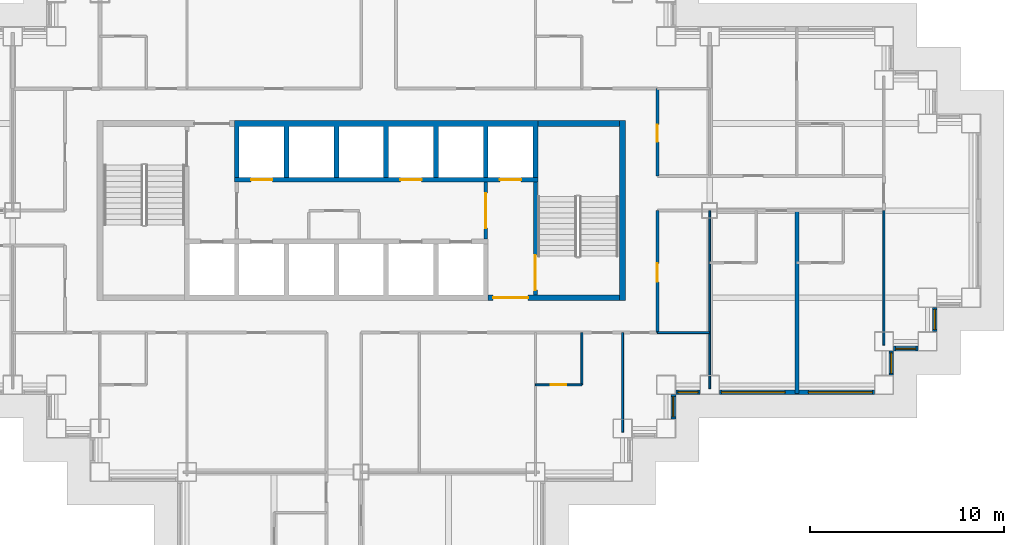
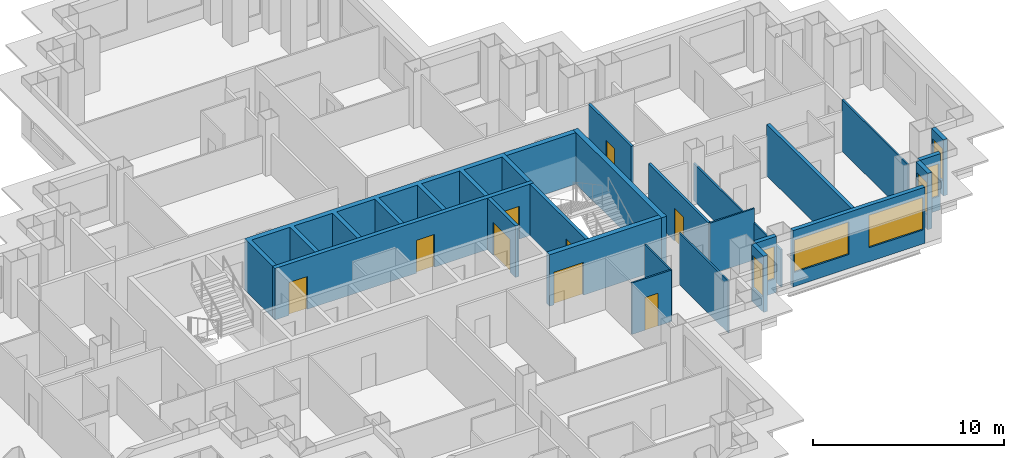
# One storey, part 6 of 14: 22 walls, 9 doors, 7 windows, 16 openings.
"""IFC4 building model written with IfcOpenShell, lengths in metres."""

from ifc_helpers import new_model, si_unit, direction, frame, frame_2d, origin, place, context, subcontext, project, spatial, polyline, rectangle, outline, extrude, material, layer, layer_set, type_object, element, fill, save


model = new_model("IFC4")

# Units and contexts
model_context = context("Model", 3, precision=1e-05, world=origin(), true_north=direction((0.0, 1.0)))
body_context = subcontext(model_context, "Body", "Model", "MODEL_VIEW")
ifc_project = project(units=[si_unit("LENGTHUNIT", "METRE"), si_unit("AREAUNIT", "SQUARE_METRE"), si_unit("VOLUMEUNIT", "CUBIC_METRE"), si_unit("PLANEANGLEUNIT", "RADIAN"), si_unit("MASSUNIT", "GRAM", prefix="KILO")], contexts=[model_context])

# Site, building, storey
site_placement = place(None, origin())
site = spatial("IfcSite", under=ifc_project, at=site_placement, CompositionType="ELEMENT")
building_placement = place(site_placement, origin())
building = spatial("IfcBuilding", under=site, at=building_placement, Name="Caravel Reach Hotel and Residences", CompositionType="ELEMENT")
storey_placement = place(building_placement, frame((0.0, 0.0, 56.39990234375)))
storey = spatial("IfcBuildingStorey", under=building, at=storey_placement, Name="L12", CompositionType="ELEMENT", Elevation=56.39990234375)

# Wall, opening, door
ifc_material_1 = material(Name="Gypsum board on steel stud", Category="steel")
ifc_layer_1 = layer(ifc_material_1, 0.10009765625)
ifc_layer_set_1 = layer_set([ifc_layer_1], Name="Bathroom pod wall 100 mm")
wall_type_1 = type_object("IfcWallType", Name="Bathroom pod wall 100 mm", PredefinedType="PARTITIONING", material=ifc_layer_set_1)
wall_1_placement = place(storey_placement, frame((40.5, 18.0, 0.0), z_axis=(0.0, 0.0, 1.0), x_axis=(1.0, 0.0, 0.0)))
wall_1 = element("IfcWall", 1, at=wall_1_placement, inside=storey, type_object=wall_type_1, Name="L12 wall w076", PredefinedType="PARTITIONING", context=body_context, shape_type="SweptSolid", body=[
    extrude(rectangle(XDim=2.39990234375, YDim=0.10009765625, at=frame_2d((1.199951171875, 0.0))), origin(), (0.0, 0.0, 1.0), 3.300048828125),
])
opening_1_placement = place(wall_1_placement, frame((0.800048828125, 0.0, 0.0)))
opening_1 = element("IfcOpeningElement", 2, at=opening_1_placement, cuts=wall_1, Name="Opening D12-050", PredefinedType="OPENING", context=body_context, shape_type="SweptSolid", body=[
    extrude(rectangle(XDim=0.800048828125, YDim=2.10009765625, at=frame_2d((0.39990234375, 1.050048828125))), frame((0.0, 0.06005859375, 0.0), z_axis=(0.0, -1.0, 0.0), x_axis=(1.0, 0.0, 0.0)), (0.0, 0.0, 1.0), 0.1201171875),
])
ifc_material_2 = material(Name="Timber and steel door leaf", Category="steel")
door_type_1 = type_object("IfcDoorType", Name="Bathroom door 800 x 2100", OperationType="SINGLE_SWING_LEFT", PredefinedType="DOOR", material=ifc_material_2)
door_1_placement = place(opening_1_placement, origin())
door_1 = element("IfcDoor", 3, at=door_1_placement, inside=storey, type_object=door_type_1, Name="door D12-050", OperationType="SINGLE_SWING_RIGHT", OverallHeight=2.10009765625, OverallWidth=0.800048828125, PredefinedType="DOOR", context=body_context, shape_type="SweptSolid", body=[
    extrude(rectangle(XDim=0.800048828125, YDim=2.10009765625, at=frame_2d((0.39990234375, 1.050048828125))), frame((0.0, 0.02490234375, 0.0), z_axis=(0.0, -1.0, 0.0), x_axis=(1.0, 0.0, 0.0)), (0.0, 0.0, 1.0), 0.050048828125),
])
fill(opening_1, door_1)

# Wall
wall_2_placement = place(storey_placement, frame((42.89990234375, 18.0, 0.0), z_axis=(0.0, 0.0, 1.0), x_axis=(0.0, 1.0, 0.0)))
element("IfcWall", 4, at=wall_2_placement, inside=storey, type_object=wall_type_1, Name="L12 wall w098", PredefinedType="PARTITIONING", context=body_context, shape_type="SweptSolid", body=[
    extrude(rectangle(XDim=2.699951171875, YDim=0.10009765625, at=frame_2d((1.35009765625, 0.0))), origin(), (0.0, 0.0, 1.0), 3.300048828125),
])

# Wall, opening, door
ifc_material_3 = material(Name="Concrete C60", Category="concrete")
ifc_layer_2 = layer(ifc_material_3, 0.300048828125)
ifc_layer_set_2 = layer_set([ifc_layer_2], Name="Core wall 300 mm EI 120")
wall_type_2 = type_object("IfcWallType", Name="Core wall 300 mm EI 120", PredefinedType="SHEAR", material=ifc_layer_set_2)
wall_3_placement = place(storey_placement, frame((38.053466796875, 22.5, 0.0), z_axis=(0.0, 0.0, 1.0), x_axis=(1.0, 0.0, 0.0)))
wall_3 = element("IfcWall", 5, at=wall_3_placement, inside=storey, type_object=wall_type_2, Name="L12 core wall S2", PredefinedType="SHEAR", context=body_context, shape_type="SweptSolid", body=[
    extrude(rectangle(XDim=6.796630859375, YDim=0.300048828125, at=frame_2d((3.3984375, 0.0))), origin(), (0.0, 0.0, 1.0), 3.300048828125),
])
opening_2_placement = place(wall_3_placement, frame((0.2607421875, 0.0, 0.0)))
opening_2 = element("IfcOpeningElement", 6, at=opening_2_placement, cuts=wall_3, Name="Opening D12-014", PredefinedType="OPENING", context=body_context, shape_type="SweptSolid", body=[
    extrude(rectangle(XDim=1.800048828125, YDim=2.10009765625, at=frame_2d((0.89990234375, 1.050048828125))), frame((0.0, 0.159912109375, 0.0), z_axis=(0.0, -1.0, 0.0), x_axis=(1.0, 0.0, 0.0)), (0.0, 0.0, 1.0), 0.320068359375),
])
ifc_material_4 = material(Name="Steel fire door leaf", Category="steel")
door_type_2 = type_object("IfcDoorType", Name="Fire lobby door pair 1800 x 2100 EI 90", OperationType="DOUBLE_DOOR_SINGLE_SWING", PredefinedType="DOOR", material=ifc_material_4)
door_2_placement = place(opening_2_placement, origin())
door_2 = element("IfcDoor", 7, at=door_2_placement, inside=storey, type_object=door_type_2, Name="lobby S door pair to corridor", OperationType="DOUBLE_DOOR_SINGLE_SWING", OverallHeight=2.10009765625, OverallWidth=1.800048828125, PredefinedType="DOOR", context=body_context, shape_type="SweptSolid", body=[
    extrude(rectangle(XDim=1.800048828125, YDim=2.10009765625, at=frame_2d((0.89990234375, 1.050048828125))), frame((0.0, 0.02490234375, 0.0), z_axis=(0.0, -1.0, 0.0), x_axis=(1.0, 0.0, 0.0)), (0.0, 0.0, 1.0), 0.050048828125),
])
fill(opening_2, door_2)

# Walls
wall_4_placement = place(storey_placement, frame((40.625, 31.5, 0.0), z_axis=(0.0, 0.0, 1.0), x_axis=(1.0, 0.0, 0.0)))
element("IfcWall", 8, at=wall_4_placement, inside=storey, type_object=wall_type_2, Name="L12 core wall N2", PredefinedType="SHEAR", context=body_context, shape_type="SweptSolid", body=[
    extrude(rectangle(XDim=4.22509765625, YDim=0.300048828125, at=frame_2d((2.112548828125, 0.0))), origin(), (0.0, 0.0, 1.0), 3.300048828125),
])
wall_5_placement = place(storey_placement, frame((45.0, 22.35009765625, 0.0), z_axis=(0.0, 0.0, 1.0), x_axis=(0.0, 1.0, 0.0)))
element("IfcWall", 9, at=wall_5_placement, inside=storey, type_object=wall_type_2, Name="L12 core wall E", PredefinedType="SHEAR", context=body_context, shape_type="SweptSolid", body=[
    extrude(rectangle(XDim=9.2998046875, YDim=0.300048828125, at=frame_2d((4.64990234375, 0.0))), origin(), (0.0, 0.0, 1.0), 3.300048828125),
])

# Wall, opening, door
ifc_material_5 = material(Name="Gypsum board on steel stud, fire-rated", Category="steel")
ifc_layer_3 = layer(ifc_material_5, 0.14990234375)
ifc_layer_set_3 = layer_set([ifc_layer_3], Name="Corridor wall 150 mm EI 60")
wall_type_3 = type_object("IfcWallType", Name="Corridor wall 150 mm EI 60", PredefinedType="PARTITIONING", material=ifc_layer_set_3)
wall_6_placement = place(storey_placement, frame((46.800048828125, 28.800048828125, 0.0), z_axis=(0.0, 0.0, 1.0), x_axis=(0.0, 1.0, 0.0)))
wall_6 = element("IfcWall", 10, at=wall_6_placement, inside=storey, type_object=wall_type_3, Name="L12 wall w036", PredefinedType="PARTITIONING", context=body_context, shape_type="SweptSolid", body=[
    extrude(rectangle(XDim=4.5, YDim=0.14990234375, at=frame_2d((2.25, 0.0))), origin(), (0.0, 0.0, 1.0), 3.300048828125),
])
opening_3_placement = place(wall_6_placement, frame((1.75, 0.0, 0.0)))
opening_3 = element("IfcOpeningElement", 11, at=opening_3_placement, cuts=wall_6, Name="Opening D12-060", PredefinedType="OPENING", context=body_context, shape_type="SweptSolid", body=[
    extrude(rectangle(XDim=0.89990234375, YDim=2.10009765625, at=frame_2d((0.449951171875, 1.050048828125))), frame((0.0, 0.0849609375, 0.0), z_axis=(0.0, -1.0, 0.0), x_axis=(1.0, 0.0, 0.0)), (0.0, 0.0, 1.0), 0.169921875),
])
ifc_material_6 = material(Name="Timber and steel door leaf", Category="steel")
door_type_3 = type_object("IfcDoorType", Name="Door 900 x 2100 timber", OperationType="SINGLE_SWING_LEFT", PredefinedType="DOOR", material=ifc_material_6)
door_3_placement = place(opening_3_placement, origin())
door_3 = element("IfcDoor", 12, at=door_3_placement, inside=storey, type_object=door_type_3, Name="door D12-060", OperationType="SINGLE_SWING_RIGHT", OverallHeight=2.10009765625, OverallWidth=0.89990234375, PredefinedType="DOOR", context=body_context, shape_type="SweptSolid", body=[
    extrude(rectangle(XDim=0.89990234375, YDim=2.10009765625, at=frame_2d((0.449951171875, 1.050048828125))), frame((0.0, 0.02490234375, 0.0), z_axis=(0.0, -1.0, 0.0), x_axis=(1.0, 0.0, 0.0)), (0.0, 0.0, 1.0), 0.050048828125),
])
fill(opening_3, door_3)

wall_7_placement = place(storey_placement, frame((46.800048828125, 20.699951171875, 0.0), z_axis=(0.0, 0.0, 1.0), x_axis=(0.0, 1.0, 0.0)))
wall_7 = element("IfcWall", 13, at=wall_7_placement, inside=storey, type_object=wall_type_3, Name="L12 wall w037", PredefinedType="PARTITIONING", context=body_context, shape_type="SweptSolid", body=[
    extrude(rectangle(XDim=6.300048828125, YDim=0.14990234375, at=frame_2d((3.14990234375, 0.0))), origin(), (0.0, 0.0, 1.0), 3.300048828125),
])
opening_4_placement = place(wall_7_placement, frame((2.625, 0.0, 0.0)))
opening_4 = element("IfcOpeningElement", 14, at=opening_4_placement, cuts=wall_7, Name="Opening D12-059", PredefinedType="OPENING", context=body_context, shape_type="SweptSolid", body=[
    extrude(rectangle(XDim=0.949951171875, YDim=2.10009765625, at=frame_2d((0.47509765625, 1.050048828125))), frame((0.0, 0.0849609375, 0.0), z_axis=(0.0, -1.0, 0.0), x_axis=(1.0, 0.0, 0.0)), (0.0, 0.0, 1.0), 0.169921875),
])
ifc_material_7 = material(Name="Timber and steel door leaf", Category="steel")
door_type_4 = type_object("IfcDoorType", Name="Accessible WC door 950 x 2100", OperationType="SINGLE_SWING_LEFT", PredefinedType="DOOR", material=ifc_material_7)
door_4_placement = place(opening_4_placement, origin())
door_4 = element("IfcDoor", 15, at=door_4_placement, inside=storey, type_object=door_type_4, Name="door D12-059", OperationType="SINGLE_SWING_LEFT", OverallHeight=2.10009765625, OverallWidth=0.949951171875, PredefinedType="DOOR", context=body_context, shape_type="SweptSolid", body=[
    extrude(rectangle(XDim=0.949951171875, YDim=2.10009765625, at=frame_2d((0.47509765625, 1.050048828125))), frame((0.0, 0.02490234375, 0.0), z_axis=(0.0, -1.0, 0.0), x_axis=(1.0, 0.0, 0.0)), (0.0, 0.0, 1.0), 0.050048828125),
])
fill(opening_4, door_4)

# Wall, opening, window
ifc_material_8 = material(Name="Insulated rainscreen wall, aluminium cladding", Category="aluminium")
ifc_layer_4 = layer(ifc_material_8, 0.25)
ifc_layer_set_4 = layer_set([ifc_layer_4], Name="EW1 Tower rainscreen wall")
wall_type_4 = type_object("IfcWallType", Name="EW1 Tower rainscreen wall", PredefinedType="SOLIDWALL", material=ifc_layer_set_4)
wall_8_placement = place(storey_placement, frame((47.625, 16.25, 0.0), z_axis=(0.0, 0.0, 1.0), x_axis=(0.0, 1.0, 0.0)))
wall_8 = element("IfcWall", 16, at=wall_8_placement, inside=storey, type_object=wall_type_4, Name="External wall L12 E14.1", PredefinedType="SOLIDWALL", context=body_context, shape_type="SweptSolid", body=[
    extrude(rectangle(XDim=1.25, YDim=0.25, at=frame_2d((0.625, 0.0))), origin(), (0.0, 0.0, 1.0), 3.60009765625),
])
opening_5_placement = place(wall_8_placement, frame((0.10009765625, 0.0, 0.89990234375)))
opening_5 = element("IfcOpeningElement", 17, at=opening_5_placement, cuts=wall_8, Name="Opening WN3", PredefinedType="OPENING", context=body_context, shape_type="SweptSolid", body=[
    extrude(rectangle(XDim=1.050048828125, YDim=2.080078125, at=frame_2d((0.52490234375, 1.0400390625))), frame((0.0, 0.135009765625, 0.0), z_axis=(0.0, -1.0, 0.0), x_axis=(1.0, 0.0, 0.0)), (0.0, 0.0, 1.0), 0.27001953125),
])
ifc_material_9 = material(Name="Dark low-e glazing in black aluminium frame", Category="aluminium")
window_type_1 = type_object("IfcWindowType", Name="Hotel suite corner window 1050 x 2080", PartitioningType="SINGLE_PANEL", PredefinedType="WINDOW", material=ifc_material_9)
window_1_placement = place(opening_5_placement, origin())
window_1 = element("IfcWindow", 18, at=window_1_placement, inside=storey, type_object=window_type_1, Name="Window L12 E14.1.1", OverallHeight=2.080078125, OverallWidth=1.050048828125, PartitioningType="SINGLE_PANEL", PredefinedType="WINDOW", context=body_context, shape_type="SweptSolid", body=[
    extrude(rectangle(XDim=1.050048828125, YDim=2.080078125, at=frame_2d((0.52490234375, 1.0400390625))), frame((0.0, 0.030029296875, 0.0), z_axis=(0.0, -1.0, 0.0), x_axis=(1.0, 0.0, 0.0)), (0.0, 0.0, 1.0), 0.06005859375),
])
fill(opening_5, window_1)

wall_9_placement = place(storey_placement, frame((47.75, 17.625, 0.0), z_axis=(0.0, 0.0, 1.0), x_axis=(1.0, 0.0, 0.0)))
wall_9 = element("IfcWall", 19, at=wall_9_placement, inside=storey, type_object=wall_type_4, Name="External wall L12 S15.1", PredefinedType="SOLIDWALL", context=body_context, shape_type="SweptSolid", body=[
    extrude(rectangle(XDim=1.25, YDim=0.25, at=frame_2d((0.625, 0.0))), origin(), (0.0, 0.0, 1.0), 3.60009765625),
])
opening_6_placement = place(wall_9_placement, frame((0.10009765625, 0.0, 0.89990234375)))
opening_6 = element("IfcOpeningElement", 20, at=opening_6_placement, cuts=wall_9, Name="Opening WN3", PredefinedType="OPENING", context=body_context, shape_type="SweptSolid", body=[
    extrude(rectangle(XDim=1.050048828125, YDim=2.080078125, at=frame_2d((0.52490234375, 1.0400390625))), frame((0.0, 0.135009765625, 0.0), z_axis=(0.0, -1.0, 0.0), x_axis=(1.0, 0.0, 0.0)), (0.0, 0.0, 1.0), 0.27001953125),
])
window_2_placement = place(opening_6_placement, origin())
window_2 = element("IfcWindow", 21, at=window_2_placement, inside=storey, type_object=window_type_1, Name="Window L12 S15.1.1", OverallHeight=2.080078125, OverallWidth=1.050048828125, PartitioningType="SINGLE_PANEL", PredefinedType="WINDOW", context=body_context, shape_type="SweptSolid", body=[
    extrude(rectangle(XDim=1.050048828125, YDim=2.080078125, at=frame_2d((0.52490234375, 1.0400390625))), frame((0.0, 0.030029296875, 0.0), z_axis=(0.0, -1.0, 0.0), x_axis=(1.0, 0.0, 0.0)), (0.0, 0.0, 1.0), 0.06005859375),
])
fill(opening_6, window_2)

# Wall, openings, windows
wall_10_placement = place(storey_placement, frame((50.0, 17.625, 0.0), z_axis=(0.0, 0.0, 1.0), x_axis=(1.0, 0.0, 0.0)))
wall_10 = element("IfcWall", 22, at=wall_10_placement, inside=storey, type_object=wall_type_4, Name="External wall L12 S15.2", PredefinedType="SOLIDWALL", context=body_context, shape_type="SweptSolid", body=[
    extrude(rectangle(XDim=8.0, YDim=0.25, at=frame_2d((4.0, 0.0))), origin(), (0.0, 0.0, 1.0), 3.60009765625),
])
opening_7_placement = place(wall_10_placement, frame((0.10009765625, 0.0, 0.89990234375)))
opening_7 = element("IfcOpeningElement", 23, at=opening_7_placement, cuts=wall_10, Name="Opening WN4", PredefinedType="OPENING", context=body_context, shape_type="SweptSolid", body=[
    extrude(rectangle(XDim=3.300048828125, YDim=2.080078125, at=frame_2d((1.64990234375, 1.0400390625))), frame((0.0, 0.135009765625, 0.0), z_axis=(0.0, -1.0, 0.0), x_axis=(1.0, 0.0, 0.0)), (0.0, 0.0, 1.0), 0.27001953125),
])
opening_8_placement = place(wall_10_placement, frame((4.60009765625, 0.0, 0.89990234375)))
opening_8 = element("IfcOpeningElement", 24, at=opening_8_placement, cuts=wall_10, Name="Opening WN4", PredefinedType="OPENING", context=body_context, shape_type="SweptSolid", body=[
    extrude(rectangle(XDim=3.300048828125, YDim=2.080078125, at=frame_2d((1.64990234375, 1.0400390625))), frame((0.0, 0.135009765625, 0.0), z_axis=(0.0, -1.0, 0.0), x_axis=(1.0, 0.0, 0.0)), (0.0, 0.0, 1.0), 0.27001953125),
])
ifc_material_10 = material(Name="Dark low-e glazing in black aluminium frame", Category="aluminium")
window_type_2 = type_object("IfcWindowType", Name="Hotel guest room window 3300 x 2080", PartitioningType="SINGLE_PANEL", PredefinedType="WINDOW", material=ifc_material_10)
window_3_placement = place(opening_7_placement, origin())
window_3 = element("IfcWindow", 25, at=window_3_placement, inside=storey, type_object=window_type_2, Name="Window L12 S15.2.1", OverallHeight=2.080078125, OverallWidth=3.300048828125, PartitioningType="SINGLE_PANEL", PredefinedType="WINDOW", context=body_context, shape_type="SweptSolid", body=[
    extrude(rectangle(XDim=3.300048828125, YDim=2.080078125, at=frame_2d((1.64990234375, 1.0400390625))), frame((0.0, 0.030029296875, 0.0), z_axis=(0.0, -1.0, 0.0), x_axis=(1.0, 0.0, 0.0)), (0.0, 0.0, 1.0), 0.06005859375),
])
fill(opening_7, window_3)
window_4_placement = place(opening_8_placement, origin())
window_4 = element("IfcWindow", 26, at=window_4_placement, inside=storey, type_object=window_type_2, Name="Window L12 S15.2.2", OverallHeight=2.080078125, OverallWidth=3.300048828125, PartitioningType="SINGLE_PANEL", PredefinedType="WINDOW", context=body_context, shape_type="SweptSolid", body=[
    extrude(rectangle(XDim=3.300048828125, YDim=2.080078125, at=frame_2d((1.64990234375, 1.0400390625))), frame((0.0, 0.030029296875, 0.0), z_axis=(0.0, -1.0, 0.0), x_axis=(1.0, 0.0, 0.0)), (0.0, 0.0, 1.0), 0.06005859375),
])
fill(opening_8, window_4)

# Wall, opening, window
wall_11_placement = place(storey_placement, frame((58.875, 18.5, 0.0), z_axis=(0.0, 0.0, 1.0), x_axis=(0.0, 1.0, 0.0)))
wall_11 = element("IfcWall", 27, at=wall_11_placement, inside=storey, type_object=wall_type_4, Name="External wall L12 E16.1", PredefinedType="SOLIDWALL", context=body_context, shape_type="SweptSolid", body=[
    extrude(rectangle(XDim=1.25, YDim=0.25, at=frame_2d((0.625, 0.0))), origin(), (0.0, 0.0, 1.0), 3.60009765625),
])
opening_9_placement = place(wall_11_placement, frame((0.10009765625, 0.0, 0.89990234375)))
opening_9 = element("IfcOpeningElement", 28, at=opening_9_placement, cuts=wall_11, Name="Opening WN3", PredefinedType="OPENING", context=body_context, shape_type="SweptSolid", body=[
    extrude(rectangle(XDim=1.050048828125, YDim=2.080078125, at=frame_2d((0.52490234375, 1.0400390625))), frame((0.0, 0.135009765625, 0.0), z_axis=(0.0, -1.0, 0.0), x_axis=(1.0, 0.0, 0.0)), (0.0, 0.0, 1.0), 0.27001953125),
])
window_5_placement = place(opening_9_placement, origin())
window_5 = element("IfcWindow", 29, at=window_5_placement, inside=storey, type_object=window_type_1, Name="Window L12 E16.1.1", OverallHeight=2.080078125, OverallWidth=1.050048828125, PartitioningType="SINGLE_PANEL", PredefinedType="WINDOW", context=body_context, shape_type="SweptSolid", body=[
    extrude(rectangle(XDim=1.050048828125, YDim=2.080078125, at=frame_2d((0.52490234375, 1.0400390625))), frame((0.0, 0.030029296875, 0.0), z_axis=(0.0, -1.0, 0.0), x_axis=(1.0, 0.0, 0.0)), (0.0, 0.0, 1.0), 0.06005859375),
])
fill(opening_9, window_5)

wall_12_placement = place(storey_placement, frame((59.0, 19.875, 0.0), z_axis=(0.0, 0.0, 1.0), x_axis=(1.0, 0.0, 0.0)))
wall_12 = element("IfcWall", 30, at=wall_12_placement, inside=storey, type_object=wall_type_4, Name="External wall L12 S17.1", PredefinedType="SOLIDWALL", context=body_context, shape_type="SweptSolid", body=[
    extrude(rectangle(XDim=1.25, YDim=0.25, at=frame_2d((0.625, 0.0))), origin(), (0.0, 0.0, 1.0), 3.60009765625),
])
opening_10_placement = place(wall_12_placement, frame((0.10009765625, 0.0, 0.89990234375)))
opening_10 = element("IfcOpeningElement", 31, at=opening_10_placement, cuts=wall_12, Name="Opening WN3", PredefinedType="OPENING", context=body_context, shape_type="SweptSolid", body=[
    extrude(rectangle(XDim=1.050048828125, YDim=2.080078125, at=frame_2d((0.52490234375, 1.0400390625))), frame((0.0, 0.135009765625, 0.0), z_axis=(0.0, -1.0, 0.0), x_axis=(1.0, 0.0, 0.0)), (0.0, 0.0, 1.0), 0.27001953125),
])
window_6_placement = place(opening_10_placement, origin())
window_6 = element("IfcWindow", 32, at=window_6_placement, inside=storey, type_object=window_type_1, Name="Window L12 S17.1.1", OverallHeight=2.080078125, OverallWidth=1.050048828125, PartitioningType="SINGLE_PANEL", PredefinedType="WINDOW", context=body_context, shape_type="SweptSolid", body=[
    extrude(rectangle(XDim=1.050048828125, YDim=2.080078125, at=frame_2d((0.52490234375, 1.0400390625))), frame((0.0, 0.030029296875, 0.0), z_axis=(0.0, -1.0, 0.0), x_axis=(1.0, 0.0, 0.0)), (0.0, 0.0, 1.0), 0.06005859375),
])
fill(opening_10, window_6)

wall_13_placement = place(storey_placement, frame((61.125, 20.75, 0.0), z_axis=(0.0, 0.0, 1.0), x_axis=(0.0, 1.0, 0.0)))
wall_13 = element("IfcWall", 33, at=wall_13_placement, inside=storey, type_object=wall_type_4, Name="External wall L12 E18.1", PredefinedType="SOLIDWALL", context=body_context, shape_type="SweptSolid", body=[
    extrude(rectangle(XDim=1.25, YDim=0.25, at=frame_2d((0.625, 0.0))), origin(), (0.0, 0.0, 1.0), 3.60009765625),
])
opening_11_placement = place(wall_13_placement, frame((0.10009765625, 0.0, 0.89990234375)))
opening_11 = element("IfcOpeningElement", 34, at=opening_11_placement, cuts=wall_13, Name="Opening WN3", PredefinedType="OPENING", context=body_context, shape_type="SweptSolid", body=[
    extrude(rectangle(XDim=1.050048828125, YDim=2.080078125, at=frame_2d((0.52490234375, 1.0400390625))), frame((0.0, 0.135009765625, 0.0), z_axis=(0.0, -1.0, 0.0), x_axis=(1.0, 0.0, 0.0)), (0.0, 0.0, 1.0), 0.27001953125),
])
window_7_placement = place(opening_11_placement, origin())
window_7 = element("IfcWindow", 35, at=window_7_placement, inside=storey, type_object=window_type_1, Name="Window L12 E18.1.1", OverallHeight=2.080078125, OverallWidth=1.050048828125, PartitioningType="SINGLE_PANEL", PredefinedType="WINDOW", context=body_context, shape_type="SweptSolid", body=[
    extrude(rectangle(XDim=1.050048828125, YDim=2.080078125, at=frame_2d((0.52490234375, 1.0400390625))), frame((0.0, 0.030029296875, 0.0), z_axis=(0.0, -1.0, 0.0), x_axis=(1.0, 0.0, 0.0)), (0.0, 0.0, 1.0), 0.06005859375),
])
fill(opening_11, window_7)

# Wall, opening, door
ifc_material_11 = material(Name="Autoclaved aerated block wall")
ifc_layer_5 = layer(ifc_material_11, 0.199951171875)
ifc_layer_set_5 = layer_set([ifc_layer_5], Name="Fire lobby wall 200 mm EI 120")
wall_type_5 = type_object("IfcWallType", Name="Fire lobby wall 200 mm EI 120", PredefinedType="PARTITIONING", material=ifc_layer_set_5)
wall_14_placement = place(storey_placement, frame((37.928466796875, 25.52490234375, 0.0), z_axis=(0.0, 0.0, 1.0), x_axis=(0.0, 1.0, 0.0)))
wall_14 = element("IfcWall", 36, at=wall_14_placement, inside=storey, type_object=wall_type_5, Name="L12 lobby E wall", PredefinedType="PARTITIONING", context=body_context, shape_type="SweptSolid", body=[
    extrude(rectangle(XDim=2.9501953125, YDim=0.199951171875, at=frame_2d((1.47509765625, 0.0))), origin(), (0.0, 0.0, 1.0), 3.300048828125),
])
opening_12_placement = place(wall_14_placement, frame((0.574951171875, 0.0, 0.0)))
opening_12 = element("IfcOpeningElement", 37, at=opening_12_placement, cuts=wall_14, Name="Opening D12-012", PredefinedType="OPENING", context=body_context, shape_type="SweptSolid", body=[
    extrude(rectangle(XDim=1.800048828125, YDim=2.10009765625, at=frame_2d((0.89990234375, 1.050048828125))), frame((0.0, 0.10986328125, 0.0), z_axis=(0.0, -1.0, 0.0), x_axis=(1.0, 0.0, 0.0)), (0.0, 0.0, 1.0), 0.219970703125),
])
door_5_placement = place(opening_12_placement, origin())
door_5 = element("IfcDoor", 38, at=door_5_placement, inside=storey, type_object=door_type_2, Name="lobby E door pair", OperationType="DOUBLE_DOOR_SINGLE_SWING", OverallHeight=2.10009765625, OverallWidth=1.800048828125, PredefinedType="DOOR", context=body_context, shape_type="SweptSolid", body=[
    extrude(rectangle(XDim=1.800048828125, YDim=2.10009765625, at=frame_2d((0.89990234375, 1.050048828125))), frame((0.0, 0.02490234375, 0.0), z_axis=(0.0, -1.0, 0.0), x_axis=(1.0, 0.0, 0.0)), (0.0, 0.0, 1.0), 0.050048828125),
])
fill(opening_12, door_5)

# Walls
ifc_material_12 = material(Name="Gypsum board on steel stud", Category="steel")
ifc_layer_6 = layer(ifc_material_12, 0.10009765625)
ifc_layer_set_6 = layer_set([ifc_layer_6], Name="Partition 100 mm")
wall_type_6 = type_object("IfcWallType", Name="Partition 100 mm", PredefinedType="PARTITIONING", material=ifc_layer_set_6)
wall_15_placement = place(storey_placement, frame((46.800048828125, 20.699951171875, 0.0), z_axis=(0.0, 0.0, 1.0), x_axis=(1.0, 0.0, 0.0)))
element("IfcWall", 39, at=wall_15_placement, inside=storey, type_object=wall_type_6, Name="L12 wall w044", PredefinedType="PARTITIONING", context=body_context, shape_type="SweptSolid", body=[
    extrude(rectangle(XDim=2.699951171875, YDim=0.10009765625, at=frame_2d((1.35009765625, 0.0))), origin(), (0.0, 0.0, 1.0), 3.300048828125),
])
wall_16_placement = place(storey_placement, frame((45.0, 15.56005859375, 0.0), z_axis=(0.0, 0.0, 1.0), x_axis=(0.0, 1.0, 0.0)))
element("IfcWall", 40, at=wall_16_placement, inside=storey, type_object=wall_type_6, Name="L12 wall w062", PredefinedType="PARTITIONING", context=body_context, shape_type="SweptSolid", body=[
    extrude(rectangle(XDim=5.139892578125, YDim=0.10009765625, at=frame_2d((2.56982421875, 0.0))), origin(), (0.0, 0.0, 1.0), 3.300048828125),
])
wall_17_placement = place(storey_placement, frame((49.5, 17.81005859375, 0.0), z_axis=(0.0, 0.0, 1.0), x_axis=(0.0, 1.0, 0.0)))
element("IfcWall", 41, at=wall_17_placement, inside=storey, type_object=wall_type_6, Name="L12 wall w064", PredefinedType="PARTITIONING", context=body_context, shape_type="SweptSolid", body=[
    extrude(rectangle(XDim=9.18994140625, YDim=0.10009765625, at=frame_2d((4.594970703125, 0.0))), origin(), (0.0, 0.0, 1.0), 2.380126953125),
])
wall_18_placement = place(storey_placement, frame((58.5, 20.06005859375, 0.0), z_axis=(0.0, 0.0, 1.0), x_axis=(0.0, 1.0, 0.0)))
element("IfcWall", 42, at=wall_18_placement, inside=storey, type_object=wall_type_6, Name="L12 wall w067", PredefinedType="PARTITIONING", context=body_context, shape_type="SweptSolid", body=[
    extrude(rectangle(XDim=6.93994140625, YDim=0.10009765625, at=frame_2d((3.469970703125, 0.0))), origin(), (0.0, 0.0, 1.0), 3.300048828125),
])
ifc_material_13 = material(Name="Autoclaved aerated block wall")
ifc_layer_7 = layer(ifc_material_13, 0.199951171875)
ifc_layer_set_7 = layer_set([ifc_layer_7], Name="Party wall 200 mm EI 60")
wall_type_7 = type_object("IfcWallType", Name="Party wall 200 mm EI 60", PredefinedType="PARTITIONING", material=ifc_layer_set_7)
wall_19_placement = place(storey_placement, frame((54.0, 17.56005859375, 0.0), z_axis=(0.0, 0.0, 1.0), x_axis=(0.0, 1.0, 0.0)))
element("IfcWall", 43, at=wall_19_placement, inside=storey, type_object=wall_type_7, Name="L12 wall w073", PredefinedType="PARTITIONING", context=body_context, shape_type="SweptSolid", body=[
    extrude(rectangle(XDim=9.43994140625, YDim=0.199951171875, at=frame_2d((4.719970703125, 0.0))), origin(), (0.0, 0.0, 1.0), 3.300048828125),
])
ifc_material_14 = material(Name="Concrete C60", Category="concrete")
ifc_layer_8 = layer(ifc_material_14, 0.25)
ifc_layer_set_8 = layer_set([ifc_layer_8], Name="Shaft wall 250 mm EI 120")
wall_type_8 = type_object("IfcWallType", Name="Shaft wall 250 mm EI 120", PredefinedType="SHEAR", material=ifc_layer_set_8)
wall_20_placement = place(storey_placement, origin())
element("IfcWall", 44, at=wall_20_placement, inside=storey, type_object=wall_type_8, Name="L12 lift shaft wall N1", PredefinedType="SHEAR", context=body_context, shape_type="SweptSolid", body=[
    extrude(outline(polyline([(24.946533203125, 28.72509765625), (25.196533203125, 28.72509765625), (25.196533203125, 31.35009765625), (27.517822265625, 31.35009765625), (27.517822265625, 28.72509765625), (27.767822265625, 28.72509765625), (27.767822265625, 31.35009765625), (30.08935546875, 31.35009765625), (30.08935546875, 28.72509765625), (30.33935546875, 28.72509765625), (30.33935546875, 31.35009765625), (32.66064453125, 31.35009765625), (32.66064453125, 28.72509765625), (32.91064453125, 28.72509765625), (32.91064453125, 31.35009765625), (35.232177734375, 31.35009765625), (35.232177734375, 28.72509765625), (35.482177734375, 28.72509765625), (35.482177734375, 31.35009765625), (37.803466796875, 31.35009765625), (37.803466796875, 28.72509765625), (38.053466796875, 28.72509765625), (38.053466796875, 31.35009765625), (40.375, 31.35009765625), (40.375, 28.72509765625), (40.625, 28.72509765625), (40.625, 31.64990234375), (24.946533203125, 31.64990234375), (24.946533203125, 28.72509765625)])), origin(), (0.0, 0.0, 1.0), 3.300048828125),
])

# Wall, openings, doors
wall_21_placement = place(storey_placement, frame((24.946533203125, 28.60009765625, 0.0), z_axis=(0.0, 0.0, 1.0), x_axis=(1.0, 0.0, 0.0)))
wall_21 = element("IfcWall", 45, at=wall_21_placement, inside=storey, type_object=wall_type_8, Name="L12 lobby wall N1", PredefinedType="SHEAR", context=body_context, shape_type="SweptSolid", body=[
    extrude(rectangle(XDim=15.678466796875, YDim=0.25, at=frame_2d((7.83935546875, 0.0))), origin(), (0.0, 0.0, 1.0), 3.300048828125),
])
opening_13_placement = place(wall_21_placement, frame((0.860595703125, 0.0, 0.0)))
opening_13 = element("IfcOpeningElement", 46, at=opening_13_placement, cuts=wall_21, Name="Opening D12-004", PredefinedType="OPENING", context=body_context, shape_type="SweptSolid", body=[
    extrude(rectangle(XDim=1.10009765625, YDim=2.10009765625, at=frame_2d((0.550048828125, 1.050048828125))), frame((0.0, 0.135009765625, 0.0), z_axis=(0.0, -1.0, 0.0), x_axis=(1.0, 0.0, 0.0)), (0.0, 0.0, 1.0), 0.27001953125),
])
opening_14_placement = place(wall_21_placement, frame((8.574951171875, 0.0, 0.0)))
opening_14 = element("IfcOpeningElement", 47, at=opening_14_placement, cuts=wall_21, Name="Opening D12-005", PredefinedType="OPENING", context=body_context, shape_type="SweptSolid", body=[
    extrude(rectangle(XDim=1.10009765625, YDim=2.10009765625, at=frame_2d((0.550048828125, 1.050048828125))), frame((0.0, 0.135009765625, 0.0), z_axis=(0.0, -1.0, 0.0), x_axis=(1.0, 0.0, 0.0)), (0.0, 0.0, 1.0), 0.27001953125),
])
opening_15_placement = place(wall_21_placement, frame((13.718017578125, 0.0, 0.0)))
opening_15 = element("IfcOpeningElement", 48, at=opening_15_placement, cuts=wall_21, Name="Opening D12-007", PredefinedType="OPENING", context=body_context, shape_type="SweptSolid", body=[
    extrude(rectangle(XDim=1.10009765625, YDim=2.10009765625, at=frame_2d((0.550048828125, 1.050048828125))), frame((0.0, 0.135009765625, 0.0), z_axis=(0.0, -1.0, 0.0), x_axis=(1.0, 0.0, 0.0)), (0.0, 0.0, 1.0), 0.27001953125),
])
ifc_material_15 = material(Name="Stainless steel landing door", Category="steel")
door_type_5 = type_object("IfcDoorType", Name="Landing door LD 1100 x 2100 sliding", OperationType="DOUBLE_DOOR_SLIDING", PredefinedType="DOOR", material=ifc_material_15)
door_6_placement = place(opening_13_placement, origin())
door_6 = element("IfcDoor", 49, at=door_6_placement, inside=storey, type_object=door_type_5, Name="LP4 landing door", OperationType="DOUBLE_DOOR_SLIDING", OverallHeight=2.10009765625, OverallWidth=1.10009765625, PredefinedType="DOOR", context=body_context, shape_type="SweptSolid", body=[
    extrude(rectangle(XDim=1.10009765625, YDim=2.10009765625, at=frame_2d((0.550048828125, 1.050048828125))), frame((0.0, 0.02490234375, 0.0), z_axis=(0.0, -1.0, 0.0), x_axis=(1.0, 0.0, 0.0)), (0.0, 0.0, 1.0), 0.050048828125),
])
fill(opening_13, door_6)
door_7_placement = place(opening_14_placement, origin())
door_7 = element("IfcDoor", 50, at=door_7_placement, inside=storey, type_object=door_type_5, Name="LP5 landing door", OperationType="DOUBLE_DOOR_SLIDING", OverallHeight=2.10009765625, OverallWidth=1.10009765625, PredefinedType="DOOR", context=body_context, shape_type="SweptSolid", body=[
    extrude(rectangle(XDim=1.10009765625, YDim=2.10009765625, at=frame_2d((0.550048828125, 1.050048828125))), frame((0.0, 0.02490234375, 0.0), z_axis=(0.0, -1.0, 0.0), x_axis=(1.0, 0.0, 0.0)), (0.0, 0.0, 1.0), 0.050048828125),
])
fill(opening_14, door_7)
door_8_placement = place(opening_15_placement, origin())
door_8 = element("IfcDoor", 51, at=door_8_placement, inside=storey, type_object=door_type_5, Name="FL2 landing door", OperationType="DOUBLE_DOOR_SLIDING", OverallHeight=2.10009765625, OverallWidth=1.10009765625, PredefinedType="DOOR", context=body_context, shape_type="SweptSolid", body=[
    extrude(rectangle(XDim=1.10009765625, YDim=2.10009765625, at=frame_2d((0.550048828125, 1.050048828125))), frame((0.0, 0.02490234375, 0.0), z_axis=(0.0, -1.0, 0.0), x_axis=(1.0, 0.0, 0.0)), (0.0, 0.0, 1.0), 0.050048828125),
])
fill(opening_15, door_8)

# Wall, opening, door
ifc_material_16 = material(Name="Concrete C60", Category="concrete")
ifc_layer_9 = layer(ifc_material_16, 0.199951171875)
ifc_layer_set_9 = layer_set([ifc_layer_9], Name="Stair enclosure wall 200 mm EI 120")
wall_type_9 = type_object("IfcWallType", Name="Stair enclosure wall 200 mm EI 120", PredefinedType="SHEAR", material=ifc_layer_set_9)
wall_22_placement = place(storey_placement, frame((40.5, 22.64990234375, 0.0), z_axis=(0.0, 0.0, 1.0), x_axis=(0.0, 1.0, 0.0)))
wall_22 = element("IfcWall", 52, at=wall_22_placement, inside=storey, type_object=wall_type_9, Name="L12 stair B wall", PredefinedType="SHEAR", context=body_context, shape_type="SweptSolid", body=[
    extrude(rectangle(XDim=5.8251953125, YDim=0.199951171875, at=frame_2d((2.91259765625, 0.0))), origin(), (0.0, 0.0, 1.0), 3.300048828125),
])
opening_16_placement = place(wall_22_placement, frame((0.25, 0.0, 0.0)))
opening_16 = element("IfcOpeningElement", 53, at=opening_16_placement, cuts=wall_22, Name="Opening D12-010", PredefinedType="OPENING", context=body_context, shape_type="SweptSolid", body=[
    extrude(rectangle(XDim=1.800048828125, YDim=2.10009765625, at=frame_2d((0.89990234375, 1.050048828125))), frame((0.0, 0.10986328125, 0.0), z_axis=(0.0, -1.0, 0.0), x_axis=(1.0, 0.0, 0.0)), (0.0, 0.0, 1.0), 0.219970703125),
])
ifc_material_17 = material(Name="Steel fire door leaf", Category="steel")
door_type_6 = type_object("IfcDoorType", Name="Stair door pair 1800 x 2100 EI 90", OperationType="DOUBLE_DOOR_SINGLE_SWING", PredefinedType="DOOR", material=ifc_material_17)
door_9_placement = place(opening_16_placement, origin())
door_9 = element("IfcDoor", 54, at=door_9_placement, inside=storey, type_object=door_type_6, Name="stair B door pair", OperationType="DOUBLE_DOOR_SINGLE_SWING", OverallHeight=2.10009765625, OverallWidth=1.800048828125, PredefinedType="DOOR", context=body_context, shape_type="SweptSolid", body=[
    extrude(rectangle(XDim=1.800048828125, YDim=2.10009765625, at=frame_2d((0.89990234375, 1.050048828125))), frame((0.0, 0.02490234375, 0.0), z_axis=(0.0, -1.0, 0.0), x_axis=(1.0, 0.0, 0.0)), (0.0, 0.0, 1.0), 0.050048828125),
])
fill(opening_16, door_9)

save(model, "model.ifc")
